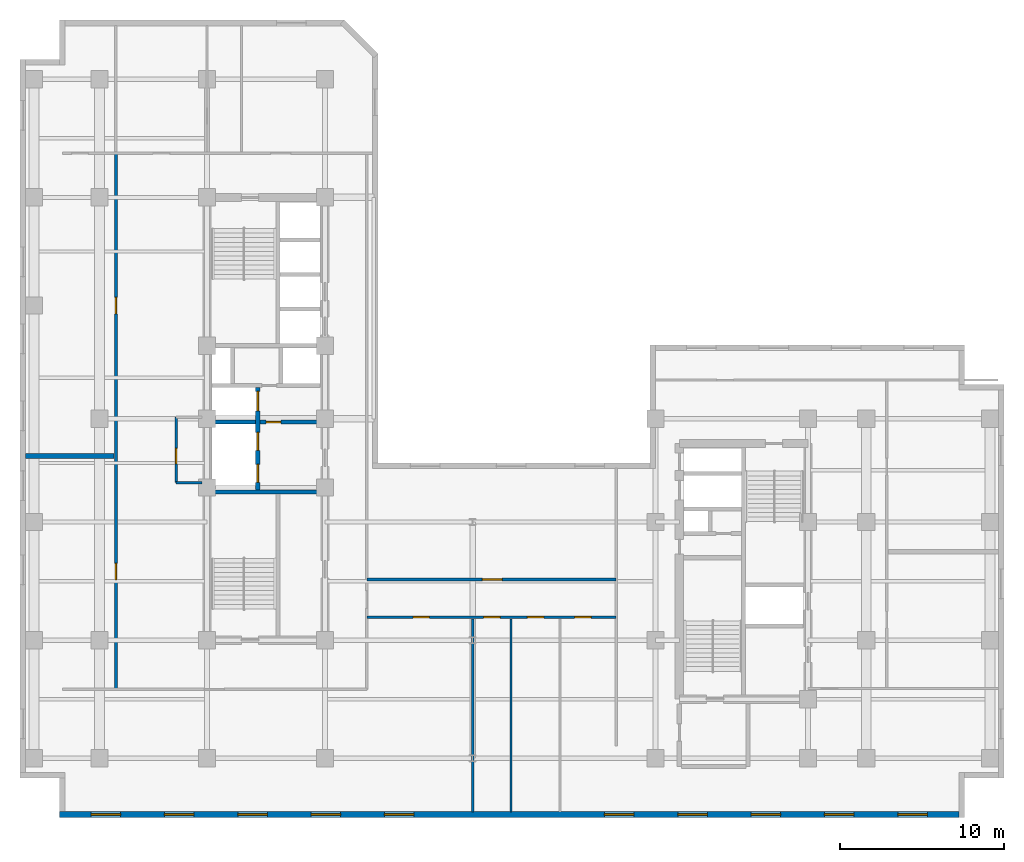
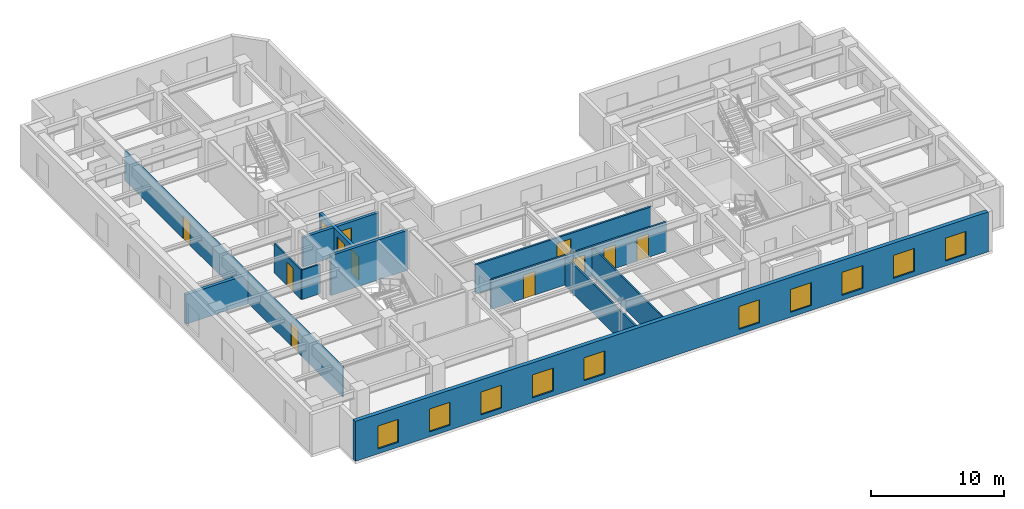
# One storey, part 3 of 9: 12 doors, 12 walls, 10 windows, 22 openings.
"""IFC4 building model written with IfcOpenShell, lengths in metres."""

from ifc_helpers import new_model, entity, si_unit, converted_unit, direction, frame, origin_with_axes, origin_2d_with_axis, place, context, subcontext, project, spatial, polyline, rectangle, outline, extrude, material, layer, layer_set, type_object, element, fill, save


model = new_model("IFC4")

# Units and contexts
model_context = context("Model", 3, precision=1e-05, world=origin_with_axes(), true_north=direction((0.0, 1.0)))
body_context = subcontext(model_context, "Body", "Model", "MODEL_VIEW")
ifc_project = project(units=[si_unit("LENGTHUNIT", "METRE"), si_unit("AREAUNIT", "SQUARE_METRE"), si_unit("VOLUMEUNIT", "CUBIC_METRE"), converted_unit("PLANEANGLEUNIT", "DEGREE", entity("IfcPlaneAngleMeasure", 0.017453292519943295), si_unit("PLANEANGLEUNIT", "RADIAN"), dimensions=[0, 0, 0, 0, 0, 0, 0]), si_unit("MASSUNIT", "GRAM", prefix="KILO"), si_unit("THERMODYNAMICTEMPERATUREUNIT", "KELVIN")], contexts=[model_context])

# Site, building, storey
site_placement = place(None, origin_with_axes())
site = spatial("IfcSite", under=ifc_project, at=site_placement, CompositionType="ELEMENT")
building_placement = place(site_placement, origin_with_axes())
building = spatial("IfcBuilding", under=site, at=building_placement, Name="Varnlund Millrace Tower", CompositionType="ELEMENT")
storey_placement = place(building_placement, frame((0.0, 0.0, 136.8), z_axis=(0.0, 0.0, 1.0), x_axis=(1.0, 0.0, 0.0)))
storey = spatial("IfcBuildingStorey", under=building, at=storey_placement, Name="L33", CompositionType="ELEMENT", Elevation=136.8)

# Wall, openings, windows
ifc_material_1 = material(Name="Precast concrete C50/60", Category="concrete")
ifc_layer_1 = layer(ifc_material_1, 0.34, Name="Precast concrete C50/60")
ifc_layer_set_1 = layer_set([ifc_layer_1], Name="Precast concrete C50/60")
wall_type_1 = type_object("IfcWallType", Name="Type-ExtWall-Precast-Upper-340", PredefinedType="SOLIDWALL", material=ifc_layer_set_1)
wall_1_placement = place(storey_placement, frame((57.26, 0.17, 0.0), z_axis=(0.0, 0.0, 1.0), x_axis=(-1.0, 0.0, 0.0)))
wall_1 = element("IfcWall", 1, at=wall_1_placement, inside=storey, type_object=wall_type_1, Name="Type-ExtWall-Precast-Upper-340", PredefinedType="SOLIDWALL", context=body_context, shape_type="SweptSolid", body=[
    extrude(outline(polyline([(0.0, -0.17), (54.86, -0.17), (54.86, 0.17), (0.0, 0.17), (0.0, -0.17)])), origin_with_axes(), (0.0, 0.0, 1.0), 3.66),
])
opening_1_placement = place(wall_1_placement, frame((2.836, 0.0, 0.45), z_axis=(0.0, 0.0, 1.0), x_axis=(1.0, 0.0, 0.0)))
opening_1 = element("IfcOpeningElement", 2, at=opening_1_placement, cuts=wall_1, Name="Opening L33:WN-08", PredefinedType="OPENING", context=body_context, shape_type="SweptSolid", body=[
    extrude(rectangle(XDim=1.8, YDim=0.36, at=origin_2d_with_axis()), origin_with_axes(), (0.0, 0.0, 1.0), 2.1),
])
opening_2_placement = place(wall_1_placement, frame((7.307, 0.0, 0.45), z_axis=(0.0, 0.0, 1.0), x_axis=(1.0, 0.0, 0.0)))
opening_2 = element("IfcOpeningElement", 3, at=opening_2_placement, cuts=wall_1, Name="Opening L33:WN-09", PredefinedType="OPENING", context=body_context, shape_type="SweptSolid", body=[
    extrude(rectangle(XDim=1.8, YDim=0.36, at=origin_2d_with_axis()), origin_with_axes(), (0.0, 0.0, 1.0), 2.1),
])
opening_3_placement = place(wall_1_placement, frame((11.779, 0.0, 0.45), z_axis=(0.0, 0.0, 1.0), x_axis=(1.0, 0.0, 0.0)))
opening_3 = element("IfcOpeningElement", 4, at=opening_3_placement, cuts=wall_1, Name="Opening L33:WN-10", PredefinedType="OPENING", context=body_context, shape_type="SweptSolid", body=[
    extrude(rectangle(XDim=1.8, YDim=0.36, at=origin_2d_with_axis()), origin_with_axes(), (0.0, 0.0, 1.0), 2.1),
])
opening_4_placement = place(wall_1_placement, frame((16.251, 0.0, 0.45), z_axis=(0.0, 0.0, 1.0), x_axis=(1.0, 0.0, 0.0)))
opening_4 = element("IfcOpeningElement", 5, at=opening_4_placement, cuts=wall_1, Name="Opening L33:WN-11", PredefinedType="OPENING", context=body_context, shape_type="SweptSolid", body=[
    extrude(rectangle(XDim=1.8, YDim=0.36, at=origin_2d_with_axis()), origin_with_axes(), (0.0, 0.0, 1.0), 2.1),
])
opening_5_placement = place(wall_1_placement, frame((20.723, 0.0, 0.45), z_axis=(0.0, 0.0, 1.0), x_axis=(1.0, 0.0, 0.0)))
opening_5 = element("IfcOpeningElement", 6, at=opening_5_placement, cuts=wall_1, Name="Opening L33:WN-12", PredefinedType="OPENING", context=body_context, shape_type="SweptSolid", body=[
    extrude(rectangle(XDim=1.8, YDim=0.36, at=origin_2d_with_axis()), origin_with_axes(), (0.0, 0.0, 1.0), 2.1),
])
opening_6_placement = place(wall_1_placement, frame((34.138, 0.0, 0.45), z_axis=(0.0, 0.0, 1.0), x_axis=(1.0, 0.0, 0.0)))
opening_6 = element("IfcOpeningElement", 7, at=opening_6_placement, cuts=wall_1, Name="Opening L33:WN-13", PredefinedType="OPENING", context=body_context, shape_type="SweptSolid", body=[
    extrude(rectangle(XDim=1.8, YDim=0.36, at=origin_2d_with_axis()), origin_with_axes(), (0.0, 0.0, 1.0), 2.1),
])
opening_7_placement = place(wall_1_placement, frame((38.609, 0.0, 0.45), z_axis=(0.0, 0.0, 1.0), x_axis=(1.0, 0.0, 0.0)))
opening_7 = element("IfcOpeningElement", 8, at=opening_7_placement, cuts=wall_1, Name="Opening L33:WN-14", PredefinedType="OPENING", context=body_context, shape_type="SweptSolid", body=[
    extrude(rectangle(XDim=1.8, YDim=0.36, at=origin_2d_with_axis()), origin_with_axes(), (0.0, 0.0, 1.0), 2.1),
])
opening_8_placement = place(wall_1_placement, frame((43.081, 0.0, 0.45), z_axis=(0.0, 0.0, 1.0), x_axis=(1.0, 0.0, 0.0)))
opening_8 = element("IfcOpeningElement", 9, at=opening_8_placement, cuts=wall_1, Name="Opening L33:WN-15", PredefinedType="OPENING", context=body_context, shape_type="SweptSolid", body=[
    extrude(rectangle(XDim=1.8, YDim=0.36, at=origin_2d_with_axis()), origin_with_axes(), (0.0, 0.0, 1.0), 2.1),
])
opening_9_placement = place(wall_1_placement, frame((47.553, 0.0, 0.45), z_axis=(0.0, 0.0, 1.0), x_axis=(1.0, 0.0, 0.0)))
opening_9 = element("IfcOpeningElement", 10, at=opening_9_placement, cuts=wall_1, Name="Opening L33:WN-16", PredefinedType="OPENING", context=body_context, shape_type="SweptSolid", body=[
    extrude(rectangle(XDim=1.8, YDim=0.36, at=origin_2d_with_axis()), origin_with_axes(), (0.0, 0.0, 1.0), 2.1),
])
opening_10_placement = place(wall_1_placement, frame((52.024, 0.0, 0.45), z_axis=(0.0, 0.0, 1.0), x_axis=(1.0, 0.0, 0.0)))
opening_10 = element("IfcOpeningElement", 11, at=opening_10_placement, cuts=wall_1, Name="Opening L33:WN-17", PredefinedType="OPENING", context=body_context, shape_type="SweptSolid", body=[
    extrude(rectangle(XDim=1.8, YDim=0.36, at=origin_2d_with_axis()), origin_with_axes(), (0.0, 0.0, 1.0), 2.1),
])
ifc_material_2 = material(Name="Argon low-e triple glazing in thermally broken bronze frame", Category="glass")
window_type = type_object("IfcWindowType", Name="Type-Window-Punched-1800X2100", PartitioningType="SINGLE_PANEL", PredefinedType="WINDOW", material=ifc_material_2)
window_1_placement = place(wall_1_placement, frame((2.836, 0.0, 0.45), z_axis=(0.0, 0.0, 1.0), x_axis=(1.0, 0.0, 0.0)))
window_1 = element("IfcWindow", 12, at=window_1_placement, inside=storey, type_object=window_type, Name="Type-Window-Punched-1800X2100", OverallHeight=2.1, OverallWidth=1.8, PredefinedType="WINDOW", context=body_context, shape_type="SweptSolid", body=[
    extrude(rectangle(XDim=1.8, YDim=0.09, at=origin_2d_with_axis()), origin_with_axes(), (0.0, 0.0, 1.0), 2.1),
])
fill(opening_1, window_1)
window_2_placement = place(wall_1_placement, frame((7.307, 0.0, 0.45), z_axis=(0.0, 0.0, 1.0), x_axis=(1.0, 0.0, 0.0)))
window_2 = element("IfcWindow", 13, at=window_2_placement, inside=storey, type_object=window_type, Name="Type-Window-Punched-1800X2100", OverallHeight=2.1, OverallWidth=1.8, PredefinedType="WINDOW", context=body_context, shape_type="SweptSolid", body=[
    extrude(rectangle(XDim=1.8, YDim=0.09, at=origin_2d_with_axis()), origin_with_axes(), (0.0, 0.0, 1.0), 2.1),
])
fill(opening_2, window_2)
window_3_placement = place(wall_1_placement, frame((11.779, 0.0, 0.45), z_axis=(0.0, 0.0, 1.0), x_axis=(1.0, 0.0, 0.0)))
window_3 = element("IfcWindow", 14, at=window_3_placement, inside=storey, type_object=window_type, Name="Type-Window-Punched-1800X2100", OverallHeight=2.1, OverallWidth=1.8, PredefinedType="WINDOW", context=body_context, shape_type="SweptSolid", body=[
    extrude(rectangle(XDim=1.8, YDim=0.09, at=origin_2d_with_axis()), origin_with_axes(), (0.0, 0.0, 1.0), 2.1),
])
fill(opening_3, window_3)
window_4_placement = place(wall_1_placement, frame((16.251, 0.0, 0.45), z_axis=(0.0, 0.0, 1.0), x_axis=(1.0, 0.0, 0.0)))
window_4 = element("IfcWindow", 15, at=window_4_placement, inside=storey, type_object=window_type, Name="Type-Window-Punched-1800X2100", OverallHeight=2.1, OverallWidth=1.8, PredefinedType="WINDOW", context=body_context, shape_type="SweptSolid", body=[
    extrude(rectangle(XDim=1.8, YDim=0.09, at=origin_2d_with_axis()), origin_with_axes(), (0.0, 0.0, 1.0), 2.1),
])
fill(opening_4, window_4)
window_5_placement = place(wall_1_placement, frame((20.723, 0.0, 0.45), z_axis=(0.0, 0.0, 1.0), x_axis=(1.0, 0.0, 0.0)))
window_5 = element("IfcWindow", 16, at=window_5_placement, inside=storey, type_object=window_type, Name="Type-Window-Punched-1800X2100", OverallHeight=2.1, OverallWidth=1.8, PredefinedType="WINDOW", context=body_context, shape_type="SweptSolid", body=[
    extrude(rectangle(XDim=1.8, YDim=0.09, at=origin_2d_with_axis()), origin_with_axes(), (0.0, 0.0, 1.0), 2.1),
])
fill(opening_5, window_5)
window_6_placement = place(wall_1_placement, frame((34.138, 0.0, 0.45), z_axis=(0.0, 0.0, 1.0), x_axis=(1.0, 0.0, 0.0)))
window_6 = element("IfcWindow", 17, at=window_6_placement, inside=storey, type_object=window_type, Name="Type-Window-Punched-1800X2100", OverallHeight=2.1, OverallWidth=1.8, PredefinedType="WINDOW", context=body_context, shape_type="SweptSolid", body=[
    extrude(rectangle(XDim=1.8, YDim=0.09, at=origin_2d_with_axis()), origin_with_axes(), (0.0, 0.0, 1.0), 2.1),
])
fill(opening_6, window_6)
window_7_placement = place(wall_1_placement, frame((38.609, 0.0, 0.45), z_axis=(0.0, 0.0, 1.0), x_axis=(1.0, 0.0, 0.0)))
window_7 = element("IfcWindow", 18, at=window_7_placement, inside=storey, type_object=window_type, Name="Type-Window-Punched-1800X2100", OverallHeight=2.1, OverallWidth=1.8, PredefinedType="WINDOW", context=body_context, shape_type="SweptSolid", body=[
    extrude(rectangle(XDim=1.8, YDim=0.09, at=origin_2d_with_axis()), origin_with_axes(), (0.0, 0.0, 1.0), 2.1),
])
fill(opening_7, window_7)
window_8_placement = place(wall_1_placement, frame((43.081, 0.0, 0.45), z_axis=(0.0, 0.0, 1.0), x_axis=(1.0, 0.0, 0.0)))
window_8 = element("IfcWindow", 19, at=window_8_placement, inside=storey, type_object=window_type, Name="Type-Window-Punched-1800X2100", OverallHeight=2.1, OverallWidth=1.8, PredefinedType="WINDOW", context=body_context, shape_type="SweptSolid", body=[
    extrude(rectangle(XDim=1.8, YDim=0.09, at=origin_2d_with_axis()), origin_with_axes(), (0.0, 0.0, 1.0), 2.1),
])
fill(opening_8, window_8)
window_9_placement = place(wall_1_placement, frame((47.553, 0.0, 0.45), z_axis=(0.0, 0.0, 1.0), x_axis=(1.0, 0.0, 0.0)))
window_9 = element("IfcWindow", 20, at=window_9_placement, inside=storey, type_object=window_type, Name="Type-Window-Punched-1800X2100", OverallHeight=2.1, OverallWidth=1.8, PredefinedType="WINDOW", context=body_context, shape_type="SweptSolid", body=[
    extrude(rectangle(XDim=1.8, YDim=0.09, at=origin_2d_with_axis()), origin_with_axes(), (0.0, 0.0, 1.0), 2.1),
])
fill(opening_9, window_9)
window_10_placement = place(wall_1_placement, frame((52.024, 0.0, 0.45), z_axis=(0.0, 0.0, 1.0), x_axis=(1.0, 0.0, 0.0)))
window_10 = element("IfcWindow", 21, at=window_10_placement, inside=storey, type_object=window_type, Name="Type-Window-Punched-1800X2100", OverallHeight=2.1, OverallWidth=1.8, PredefinedType="WINDOW", context=body_context, shape_type="SweptSolid", body=[
    extrude(rectangle(XDim=1.8, YDim=0.09, at=origin_2d_with_axis()), origin_with_axes(), (0.0, 0.0, 1.0), 2.1),
])
fill(opening_10, window_10)

# Wall
ifc_material_3 = material(Name="Double-stud STC-60 conference acoustic partition", Category="gypsum")
ifc_layer_2 = layer(ifc_material_3, 0.28, Name="Double-stud STC-60 conference acoustic partition")
ifc_layer_set_2 = layer_set([ifc_layer_2], Name="Double-stud STC-60 conference acoustic partition")
wall_type_2 = type_object("IfcWallType", Name="Type-Partition-Acoustic-280", PredefinedType="PARTITIONING", material=ifc_layer_set_2)
wall_2_placement = place(storey_placement, frame((0.335, 22.031, 0.0), z_axis=(0.0, 0.0, 1.0), x_axis=(1.0, 0.0, 0.0)))
element("IfcWall", 22, at=wall_2_placement, inside=storey, type_object=wall_type_2, Name="Type-Partition-Acoustic-280", PredefinedType="PARTITIONING", context=body_context, shape_type="SweptSolid", body=[
    extrude(outline(polyline([(0.0, -0.14), (5.395, -0.14), (5.395, 0.14), (0.0, 0.14), (0.0, -0.14)])), origin_with_axes(), (0.0, 0.0, 1.0), 2.7),
])

# Wall, openings, doors
ifc_material_4 = material(Name="Fire-rated gypsum board on cold-formed steel framing", Category="steel")
ifc_layer_3 = layer(ifc_material_4, 0.16, Name="Fire-rated gypsum board on cold-formed steel framing")
ifc_layer_set_3 = layer_set([ifc_layer_3], Name="Fire-rated gypsum board on cold-formed steel framing")
wall_type_3 = type_object("IfcWallType", Name="Type-Partition-Corridor-160", PredefinedType="PARTITIONING", material=ifc_layer_set_3)
wall_3_placement = place(storey_placement, frame((5.85, 7.8, 0.0), z_axis=(0.0, 0.0, 1.0), x_axis=(0.0, 1.0, 0.0)))
wall_3 = element("IfcWall", 23, at=wall_3_placement, inside=storey, type_object=wall_type_3, Name="Type-Partition-Corridor-160", PredefinedType="PARTITIONING", context=body_context, shape_type="SweptSolid", body=[
    extrude(outline(polyline([(0.0, -0.08), (32.7, -0.08), (32.7, 0.08), (0.0, 0.08), (0.0, -0.08)])), origin_with_axes(), (0.0, 0.0, 1.0), 2.7),
])
opening_11_placement = place(wall_3_placement, frame((7.1805, 0.0, 0.0), z_axis=(0.0, 0.0, 1.0), x_axis=(1.0, 0.0, 0.0)))
opening_11 = element("IfcOpeningElement", 24, at=opening_11_placement, cuts=wall_3, Name="Opening L33:DR-W-01", PredefinedType="OPENING", context=body_context, shape_type="SweptSolid", body=[
    extrude(rectangle(XDim=1.0, YDim=0.18, at=origin_2d_with_axis()), origin_with_axes(), (0.0, 0.0, 1.0), 2.15),
])
opening_12_placement = place(wall_3_placement, frame((23.4005, 0.0, 0.0), z_axis=(0.0, 0.0, 1.0), x_axis=(1.0, 0.0, 0.0)))
opening_12 = element("IfcOpeningElement", 25, at=opening_12_placement, cuts=wall_3, Name="Opening L33:DR-W-02", PredefinedType="OPENING", context=body_context, shape_type="SweptSolid", body=[
    extrude(rectangle(XDim=1.0, YDim=0.18, at=origin_2d_with_axis()), origin_with_axes(), (0.0, 0.0, 1.0), 2.15),
])
ifc_material_5 = material(Name="Solid-core white oak and bronze frame door")
door_type_1 = type_object("IfcDoorType", Name="Type-IntDoor-Office-1000X2150", OperationType="NOTDEFINED", PredefinedType="DOOR", material=ifc_material_5)
door_1_placement = place(wall_3_placement, frame((7.1805, 0.0, 0.0), z_axis=(0.0, 0.0, 1.0), x_axis=(1.0, 0.0, 0.0)))
door_1 = element("IfcDoor", 26, at=door_1_placement, inside=storey, type_object=door_type_1, Name="Type-IntDoor-Office-1000X2150", OperationType="SINGLE_SWING_LEFT", OverallHeight=2.15, OverallWidth=1.0, PredefinedType="DOOR", context=body_context, shape_type="SweptSolid", body=[
    extrude(rectangle(XDim=1.0, YDim=0.09, at=origin_2d_with_axis()), origin_with_axes(), (0.0, 0.0, 1.0), 2.15),
])
fill(opening_11, door_1)
door_2_placement = place(wall_3_placement, frame((23.4005, 0.0, 0.0), z_axis=(0.0, 0.0, 1.0), x_axis=(1.0, 0.0, 0.0)))
door_2 = element("IfcDoor", 27, at=door_2_placement, inside=storey, type_object=door_type_1, Name="Type-IntDoor-Office-1000X2150", OperationType="SINGLE_SWING_RIGHT", OverallHeight=2.15, OverallWidth=1.0, PredefinedType="DOOR", context=body_context, shape_type="SweptSolid", body=[
    extrude(rectangle(XDim=1.0, YDim=0.09, at=origin_2d_with_axis()), origin_with_axes(), (0.0, 0.0, 1.0), 2.15),
])
fill(opening_12, door_2)

wall_4_placement = place(storey_placement, frame((21.15, 12.2, 0.0), z_axis=(0.0, 0.0, 1.0), x_axis=(1.0, 0.0, 0.0)))
wall_4 = element("IfcWall", 28, at=wall_4_placement, inside=storey, type_object=wall_type_3, Name="Type-Partition-Corridor-160", PredefinedType="PARTITIONING", context=body_context, shape_type="SweptSolid", body=[
    extrude(outline(polyline([(0.0, -0.08), (15.2, -0.08), (15.2, 0.08), (0.0, 0.08), (0.0, -0.08)])), origin_with_axes(), (0.0, 0.0, 1.0), 2.7),
])
opening_13_placement = place(wall_4_placement, frame((3.315, 0.0, 0.0), z_axis=(0.0, 0.0, 1.0), x_axis=(1.0, 0.0, 0.0)))
opening_13 = element("IfcOpeningElement", 29, at=opening_13_placement, cuts=wall_4, Name="Opening L33:DR-KNS-01", PredefinedType="OPENING", context=body_context, shape_type="SweptSolid", body=[
    extrude(rectangle(XDim=1.0, YDim=0.18, at=origin_2d_with_axis()), origin_with_axes(), (0.0, 0.0, 1.0), 2.15),
])
opening_14_placement = place(wall_4_placement, frame((7.624, 0.0, 0.0), z_axis=(0.0, 0.0, 1.0), x_axis=(1.0, 0.0, 0.0)))
opening_14 = element("IfcOpeningElement", 30, at=opening_14_placement, cuts=wall_4, Name="Opening L33:DR-KNS-02", PredefinedType="OPENING", context=body_context, shape_type="SweptSolid", body=[
    extrude(rectangle(XDim=1.0, YDim=0.18, at=origin_2d_with_axis()), origin_with_axes(), (0.0, 0.0, 1.0), 2.15),
])
opening_15_placement = place(wall_4_placement, frame((10.288, 0.0, 0.0), z_axis=(0.0, 0.0, 1.0), x_axis=(1.0, 0.0, 0.0)))
opening_15 = element("IfcOpeningElement", 31, at=opening_15_placement, cuts=wall_4, Name="Opening L33:DR-KNS-03", PredefinedType="OPENING", context=body_context, shape_type="SweptSolid", body=[
    extrude(rectangle(XDim=1.0, YDim=0.18, at=origin_2d_with_axis()), origin_with_axes(), (0.0, 0.0, 1.0), 2.15),
])
opening_16_placement = place(wall_4_placement, frame((13.169, 0.0, 0.0), z_axis=(0.0, 0.0, 1.0), x_axis=(1.0, 0.0, 0.0)))
opening_16 = element("IfcOpeningElement", 32, at=opening_16_placement, cuts=wall_4, Name="Opening L33:DR-KNS-04", PredefinedType="OPENING", context=body_context, shape_type="SweptSolid", body=[
    extrude(rectangle(XDim=1.0, YDim=0.18, at=origin_2d_with_axis()), origin_with_axes(), (0.0, 0.0, 1.0), 2.15),
])
door_3_placement = place(wall_4_placement, frame((3.315, 0.0, 0.0), z_axis=(0.0, 0.0, 1.0), x_axis=(1.0, 0.0, 0.0)))
door_3 = element("IfcDoor", 33, at=door_3_placement, inside=storey, type_object=door_type_1, Name="Type-IntDoor-Office-1000X2150", OperationType="SINGLE_SWING_LEFT", OverallHeight=2.15, OverallWidth=1.0, PredefinedType="DOOR", context=body_context, shape_type="SweptSolid", body=[
    extrude(rectangle(XDim=1.0, YDim=0.09, at=origin_2d_with_axis()), origin_with_axes(), (0.0, 0.0, 1.0), 2.15),
])
fill(opening_13, door_3)
door_4_placement = place(wall_4_placement, frame((7.624, 0.0, 0.0), z_axis=(0.0, 0.0, 1.0), x_axis=(1.0, 0.0, 0.0)))
door_4 = element("IfcDoor", 34, at=door_4_placement, inside=storey, type_object=door_type_1, Name="Type-IntDoor-Office-1000X2150", OperationType="SINGLE_SWING_RIGHT", OverallHeight=2.15, OverallWidth=1.0, PredefinedType="DOOR", context=body_context, shape_type="SweptSolid", body=[
    extrude(rectangle(XDim=1.0, YDim=0.09, at=origin_2d_with_axis()), origin_with_axes(), (0.0, 0.0, 1.0), 2.15),
])
fill(opening_14, door_4)
door_5_placement = place(wall_4_placement, frame((10.288, 0.0, 0.0), z_axis=(0.0, 0.0, 1.0), x_axis=(1.0, 0.0, 0.0)))
door_5 = element("IfcDoor", 35, at=door_5_placement, inside=storey, type_object=door_type_1, Name="Type-IntDoor-Office-1000X2150", OperationType="SINGLE_SWING_LEFT", OverallHeight=2.15, OverallWidth=1.0, PredefinedType="DOOR", context=body_context, shape_type="SweptSolid", body=[
    extrude(rectangle(XDim=1.0, YDim=0.09, at=origin_2d_with_axis()), origin_with_axes(), (0.0, 0.0, 1.0), 2.15),
])
fill(opening_15, door_5)
door_6_placement = place(wall_4_placement, frame((13.169, 0.0, 0.0), z_axis=(0.0, 0.0, 1.0), x_axis=(1.0, 0.0, 0.0)))
door_6 = element("IfcDoor", 36, at=door_6_placement, inside=storey, type_object=door_type_1, Name="Type-IntDoor-Office-1000X2150", OperationType="SINGLE_SWING_RIGHT", OverallHeight=2.15, OverallWidth=1.0, PredefinedType="DOOR", context=body_context, shape_type="SweptSolid", body=[
    extrude(rectangle(XDim=1.0, YDim=0.09, at=origin_2d_with_axis()), origin_with_axes(), (0.0, 0.0, 1.0), 2.15),
])
fill(opening_16, door_6)

# Wall, opening, door
wall_5_placement = place(storey_placement, frame((21.15, 14.5, 0.0), z_axis=(0.0, 0.0, 1.0), x_axis=(1.0, 0.0, 0.0)))
wall_5 = element("IfcWall", 37, at=wall_5_placement, inside=storey, type_object=wall_type_3, Name="Type-Partition-Corridor-160", PredefinedType="PARTITIONING", context=body_context, shape_type="SweptSolid", body=[
    extrude(outline(polyline([(0.0, -0.08), (15.2, -0.08), (15.2, 0.08), (0.0, 0.08), (0.0, -0.08)])), origin_with_axes(), (0.0, 0.0, 1.0), 2.7),
])
opening_17_placement = place(wall_5_placement, frame((7.65, 0.0, 0.0), z_axis=(0.0, 0.0, 1.0), x_axis=(1.0, 0.0, 0.0)))
opening_17 = element("IfcOpeningElement", 38, at=opening_17_placement, cuts=wall_5, Name="Opening L33:DR-KN-01", PredefinedType="OPENING", context=body_context, shape_type="SweptSolid", body=[
    extrude(rectangle(XDim=1.2, YDim=0.18, at=origin_2d_with_axis()), origin_with_axes(), (0.0, 0.0, 1.0), 2.2),
])
ifc_material_6 = material(Name="Wide executive white oak acoustic door")
door_type_2 = type_object("IfcDoorType", Name="Type-IntDoor-Exec-1200X2200", OperationType="NOTDEFINED", PredefinedType="DOOR", material=ifc_material_6)
door_7_placement = place(wall_5_placement, frame((7.65, 0.0, 0.0), z_axis=(0.0, 0.0, 1.0), x_axis=(1.0, 0.0, 0.0)))
door_7 = element("IfcDoor", 39, at=door_7_placement, inside=storey, type_object=door_type_2, Name="Type-IntDoor-Exec-1200X2200", OperationType="SINGLE_SWING_LEFT", OverallHeight=2.2, OverallWidth=1.2, PredefinedType="DOOR", context=body_context, shape_type="SweptSolid", body=[
    extrude(rectangle(XDim=1.2, YDim=0.09, at=origin_2d_with_axis()), origin_with_axes(), (0.0, 0.0, 1.0), 2.2),
])
fill(opening_17, door_7)

# Walls
ifc_material_7 = material(Name="Acoustic STC-50 gypsum board partition", Category="gypsum")
ifc_layer_4 = layer(ifc_material_7, 0.15, Name="Acoustic STC-50 gypsum board partition")
ifc_layer_set_4 = layer_set([ifc_layer_4], Name="Acoustic STC-50 gypsum board partition")
wall_type_4 = type_object("IfcWallType", Name="Type-Partition-Demising-150", PredefinedType="PARTITIONING", material=ifc_layer_set_4)
wall_6_placement = place(storey_placement, frame((27.6, 0.335, 0.0), z_axis=(0.0, 0.0, 1.0), x_axis=(0.0, 1.0, 0.0)))
element("IfcWall", 40, at=wall_6_placement, inside=storey, type_object=wall_type_4, Name="Type-Partition-Demising-150", PredefinedType="PARTITIONING", context=body_context, shape_type="SweptSolid", body=[
    extrude(outline(polyline([(0.0, -0.075), (11.745, -0.075), (11.745, 0.075), (0.0, 0.075), (0.0, -0.075)])), origin_with_axes(), (0.0, 0.0, 1.0), 2.7),
])
ifc_material_8 = material(Name="Gypsum board tenant partition", Category="gypsum")
ifc_layer_5 = layer(ifc_material_8, 0.125, Name="Gypsum board tenant partition")
ifc_layer_set_5 = layer_set([ifc_layer_5], Name="Gypsum board tenant partition")
wall_type_5 = type_object("IfcWallType", Name="Type-Partition-Tenant-125", PredefinedType="PARTITIONING", material=ifc_layer_set_5)
wall_7_placement = place(storey_placement, frame((29.948, 0.335, 0.0), z_axis=(0.0, 0.0, 1.0), x_axis=(0.0, 1.0, 0.0)))
element("IfcWall", 41, at=wall_7_placement, inside=storey, type_object=wall_type_5, Name="Type-Partition-Tenant-125", PredefinedType="PARTITIONING", context=body_context, shape_type="SweptSolid", body=[
    extrude(outline(polyline([(0.0, -0.0625), (11.745, -0.0625), (11.745, 0.0625), (0.0, 0.0625), (0.0, -0.0625)])), origin_with_axes(), (0.0, 0.0, 1.0), 2.7),
])

# Wall, opening, door
ifc_material_9 = material(Name="Moisture-resistant gypsum restroom partition", Category="gypsum")
ifc_layer_6 = layer(ifc_material_9, 0.14, Name="Moisture-resistant gypsum restroom partition")
ifc_layer_set_6 = layer_set([ifc_layer_6], Name="Moisture-resistant gypsum restroom partition")
wall_type_6 = type_object("IfcWallType", Name="Type-Partition-Wet-140", PredefinedType="PARTITIONING", material=ifc_layer_set_6)
wall_8_placement = place(storey_placement, frame((9.52, 20.4, 0.0), z_axis=(0.0, 0.0, 1.0), x_axis=(0.0, 1.0, 0.0)))
wall_8 = element("IfcWall", 42, at=wall_8_placement, inside=storey, type_object=wall_type_6, Name="Type-Partition-Wet-140", PredefinedType="PARTITIONING", context=body_context, shape_type="SweptSolid", body=[
    extrude(outline(polyline([(0.0, -0.07), (4.0, -0.07), (4.0, 0.07), (0.0, 0.07), (0.0, -0.07)])), origin_with_axes(), (0.0, 0.0, 1.0), 2.7),
])
opening_18_placement = place(wall_8_placement, frame((1.625, 0.0, 0.0), z_axis=(0.0, 0.0, 1.0), x_axis=(1.0, 0.0, 0.0)))
opening_18 = element("IfcOpeningElement", 43, at=opening_18_placement, cuts=wall_8, Name="Opening L33:DR-CA-WCW", PredefinedType="OPENING", context=body_context, shape_type="SweptSolid", body=[
    extrude(rectangle(XDim=0.95, YDim=0.16, at=origin_2d_with_axis()), origin_with_axes(), (0.0, 0.0, 1.0), 2.15),
])
ifc_material_10 = material(Name="Solid-core acoustic office door")
door_type_3 = type_object("IfcDoorType", Name="Type-IntDoor-Tenant-950X2150", OperationType="NOTDEFINED", PredefinedType="DOOR", material=ifc_material_10)
door_8_placement = place(wall_8_placement, frame((1.625, 0.0, 0.0), z_axis=(0.0, 0.0, 1.0), x_axis=(1.0, 0.0, 0.0)))
door_8 = element("IfcDoor", 44, at=door_8_placement, inside=storey, type_object=door_type_3, Name="Type-IntDoor-Tenant-950X2150", OperationType="SINGLE_SWING_LEFT", OverallHeight=2.15, OverallWidth=0.95, PredefinedType="DOOR", context=body_context, shape_type="SweptSolid", body=[
    extrude(rectangle(XDim=0.95, YDim=0.084, at=origin_2d_with_axis()), origin_with_axes(), (0.0, 0.0, 1.0), 2.15),
])
fill(opening_18, door_8)

# Wall
wall_9_placement = place(storey_placement, frame((9.52, 20.4, 0.0), z_axis=(0.0, 0.0, 1.0), x_axis=(1.0, 0.0, 0.0)))
element("IfcWall", 45, at=wall_9_placement, inside=storey, type_object=wall_type_6, Name="Type-Partition-Wet-140", PredefinedType="PARTITIONING", context=body_context, shape_type="SweptSolid", body=[
    extrude(outline(polyline([(0.0, -0.07), (1.58, -0.07), (1.58, 0.07), (0.0, 0.07), (0.0, -0.07)])), origin_with_axes(), (0.0, 0.0, 1.0), 2.7),
])

# Wall, openings, doors
ifc_material_11 = material(Name="Concrete C60/75", Category="concrete")
ifc_layer_7 = layer(ifc_material_11, 0.25, Name="Concrete C60/75")
ifc_layer_set_7 = layer_set([ifc_layer_7], Name="Concrete C60/75")
wall_type_7 = type_object("IfcWallType", Name="Type-ShaftWall-Fire-250", PredefinedType="SOLIDWALL", material=ifc_layer_set_7)
wall_10_placement = place(storey_placement, frame((14.5, 19.95, 0.0), z_axis=(0.0, 0.0, 1.0), x_axis=(0.0, 1.0, 0.0)))
wall_10 = element("IfcWall", 46, at=wall_10_placement, inside=storey, type_object=wall_type_7, Name="Type-ShaftWall-Fire-250", PredefinedType="SOLIDWALL", context=body_context, shape_type="SweptSolid", body=[
    extrude(outline(polyline([(0.0, -0.125), (6.25, -0.125), (6.25, 0.125), (0.0, 0.125), (0.0, -0.125)])), origin_with_axes(), (0.0, 0.0, 1.0), 2.7),
])
opening_19_placement = place(wall_10_placement, frame((1.025, 0.0, 0.0), z_axis=(0.0, 0.0, 1.0), x_axis=(1.0, 0.0, 0.0)))
opening_19 = element("IfcOpeningElement", 47, at=opening_19_placement, cuts=wall_10, Name="Opening L33:LD-FSAE1", PredefinedType="OPENING", context=body_context, shape_type="SweptSolid", body=[
    extrude(rectangle(XDim=1.1, YDim=0.27, at=origin_2d_with_axis()), origin_with_axes(), (0.0, 0.0, 1.0), 2.15),
])
opening_20_placement = place(wall_10_placement, frame((2.975, 0.0, 0.0), z_axis=(0.0, 0.0, 1.0), x_axis=(1.0, 0.0, 0.0)))
opening_20 = element("IfcOpeningElement", 48, at=opening_20_placement, cuts=wall_10, Name="Opening L33:LD-FSAE2", PredefinedType="OPENING", context=body_context, shape_type="SweptSolid", body=[
    extrude(rectangle(XDim=1.1, YDim=0.27, at=origin_2d_with_axis()), origin_with_axes(), (0.0, 0.0, 1.0), 2.15),
])
opening_21_placement = place(wall_10_placement, frame((5.425, 0.0, 0.0), z_axis=(0.0, 0.0, 1.0), x_axis=(1.0, 0.0, 0.0)))
opening_21 = element("IfcOpeningElement", 49, at=opening_21_placement, cuts=wall_10, Name="Opening L33:LD-SRV1", PredefinedType="OPENING", context=body_context, shape_type="SweptSolid", body=[
    extrude(rectangle(XDim=1.2, YDim=0.27, at=origin_2d_with_axis()), origin_with_axes(), (0.0, 0.0, 1.0), 2.15),
])
ifc_material_12 = material(Name="Stainless and architectural bronze sliding landing door")
door_type_4 = type_object("IfcDoorType", Name="Type-LiftLandingDoor-1100X2150", OperationType="NOTDEFINED", PredefinedType="DOOR", material=ifc_material_12)
door_9_placement = place(wall_10_placement, frame((1.025, 0.0, 0.0), z_axis=(0.0, 0.0, 1.0), x_axis=(1.0, 0.0, 0.0)))
door_9 = element("IfcDoor", 50, at=door_9_placement, inside=storey, type_object=door_type_4, Name="Type-LiftLandingDoor-1100X2150", OperationType="SLIDING_TO_LEFT", OverallHeight=2.15, OverallWidth=1.1, PredefinedType="DOOR", context=body_context, shape_type="SweptSolid", body=[
    extrude(rectangle(XDim=1.1, YDim=0.09, at=origin_2d_with_axis()), origin_with_axes(), (0.0, 0.0, 1.0), 2.15),
])
fill(opening_19, door_9)
door_10_placement = place(wall_10_placement, frame((2.975, 0.0, 0.0), z_axis=(0.0, 0.0, 1.0), x_axis=(1.0, 0.0, 0.0)))
door_10 = element("IfcDoor", 51, at=door_10_placement, inside=storey, type_object=door_type_4, Name="Type-LiftLandingDoor-1100X2150", OperationType="SLIDING_TO_RIGHT", OverallHeight=2.15, OverallWidth=1.1, PredefinedType="DOOR", context=body_context, shape_type="SweptSolid", body=[
    extrude(rectangle(XDim=1.1, YDim=0.09, at=origin_2d_with_axis()), origin_with_axes(), (0.0, 0.0, 1.0), 2.15),
])
fill(opening_20, door_10)
ifc_material_13 = material(Name="Heavy-duty freight sliding landing door")
door_type_5 = type_object("IfcDoorType", Name="Type-LiftLandingDoor-Service-1200X2150", OperationType="NOTDEFINED", PredefinedType="DOOR", material=ifc_material_13)
door_11_placement = place(wall_10_placement, frame((5.425, 0.0, 0.0), z_axis=(0.0, 0.0, 1.0), x_axis=(1.0, 0.0, 0.0)))
door_11 = element("IfcDoor", 52, at=door_11_placement, inside=storey, type_object=door_type_5, Name="Type-LiftLandingDoor-Service-1200X2150", OperationType="DOUBLE_DOOR_SLIDING", OverallHeight=2.15, OverallWidth=1.2, PredefinedType="DOOR", context=body_context, shape_type="SweptSolid", body=[
    extrude(rectangle(XDim=1.2, YDim=0.09, at=origin_2d_with_axis()), origin_with_axes(), (0.0, 0.0, 1.0), 2.15),
])
fill(opening_21, door_11)

# Wall, opening, door
wall_11_placement = place(storey_placement, frame((11.7, 24.1, 0.0), z_axis=(0.0, 0.0, 1.0), x_axis=(1.0, 0.0, 0.0)))
wall_11 = element("IfcWall", 53, at=wall_11_placement, inside=storey, type_object=wall_type_7, Name="Type-ShaftWall-Fire-250", PredefinedType="SOLIDWALL", context=body_context, shape_type="SweptSolid", body=[
    extrude(outline(polyline([(0.0, -0.125), (6.6, -0.125), (6.6, 0.125), (0.0, 0.125), (0.0, -0.125)])), origin_with_axes(), (0.0, 0.0, 1.0), 2.7),
])
opening_22_placement = place(wall_11_placement, frame((3.75, 0.0, 0.0), z_axis=(0.0, 0.0, 1.0), x_axis=(1.0, 0.0, 0.0)))
opening_22 = element("IfcOpeningElement", 54, at=opening_22_placement, cuts=wall_11, Name="Opening L33:DR-CA-SRV1", PredefinedType="OPENING", context=body_context, shape_type="SweptSolid", body=[
    extrude(rectangle(XDim=0.9, YDim=0.27, at=origin_2d_with_axis()), origin_with_axes(), (0.0, 0.0, 1.0), 2.15),
])
ifc_material_14 = material(Name="Fire-rated hollow steel service closet door", Category="steel")
door_type_6 = type_object("IfcDoorType", Name="Type-FireDoor-Closet-900X2150", OperationType="NOTDEFINED", PredefinedType="DOOR", material=ifc_material_14)
door_12_placement = place(wall_11_placement, frame((3.75, 0.0, 0.0), z_axis=(0.0, 0.0, 1.0), x_axis=(1.0, 0.0, 0.0)))
door_12 = element("IfcDoor", 55, at=door_12_placement, inside=storey, type_object=door_type_6, Name="Type-FireDoor-Closet-900X2150", OperationType="SINGLE_SWING_LEFT", OverallHeight=2.15, OverallWidth=0.9, PredefinedType="DOOR", context=body_context, shape_type="SweptSolid", body=[
    extrude(rectangle(XDim=0.9, YDim=0.09, at=origin_2d_with_axis()), origin_with_axes(), (0.0, 0.0, 1.0), 2.15),
])
fill(opening_22, door_12)

# Wall
wall_type_8 = type_object("IfcWallType", Name="Type-StairWall-Shear-250", PredefinedType="SHEAR", material=ifc_layer_set_7)
wall_12_placement = place(storey_placement, frame((11.65, 19.825, 0.0), z_axis=(0.0, 0.0, 1.0), x_axis=(1.0, 0.0, 0.0)))
element("IfcWall", 56, at=wall_12_placement, inside=storey, type_object=wall_type_8, Name="Type-StairWall-Shear-250", PredefinedType="SHEAR", context=body_context, shape_type="SweptSolid", body=[
    extrude(outline(polyline([(0.0, -0.125), (6.7, -0.125), (6.7, 0.125), (0.0, 0.125), (0.0, -0.125)])), origin_with_axes(), (0.0, 0.0, 1.0), 3.66),
])

save(model, "model.ifc")
